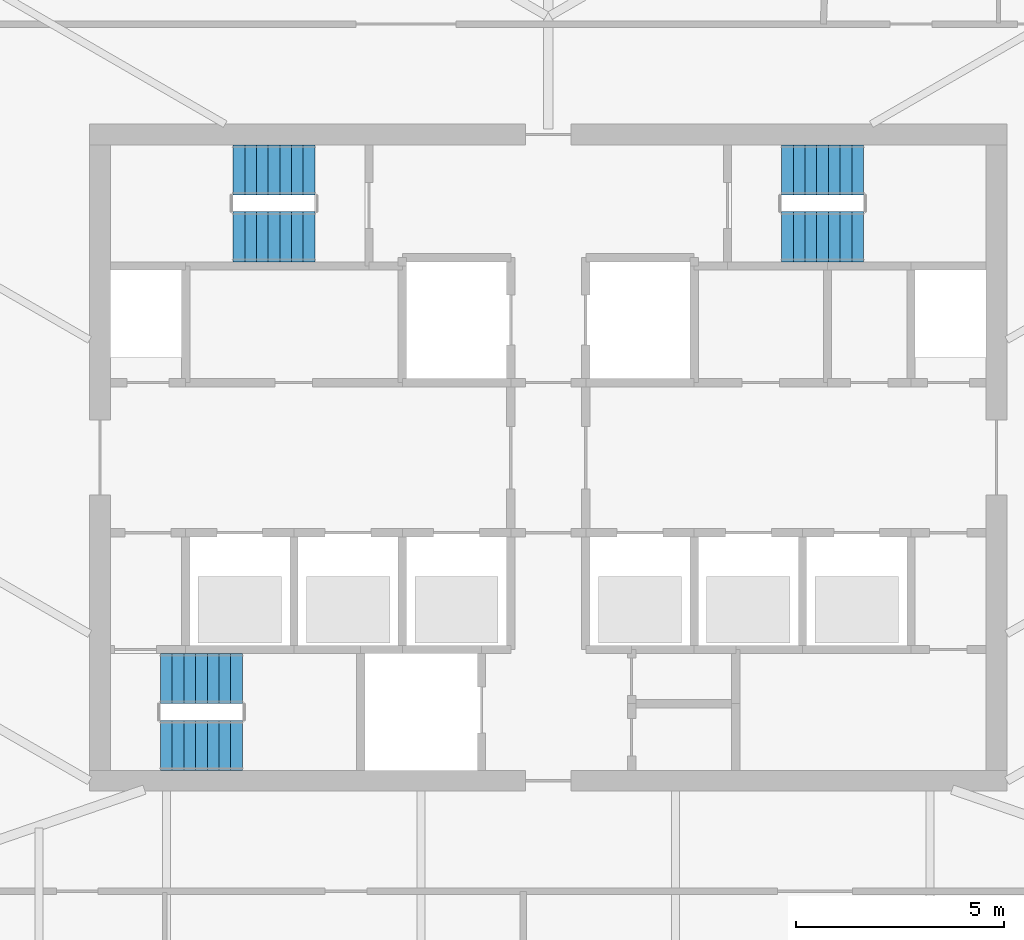
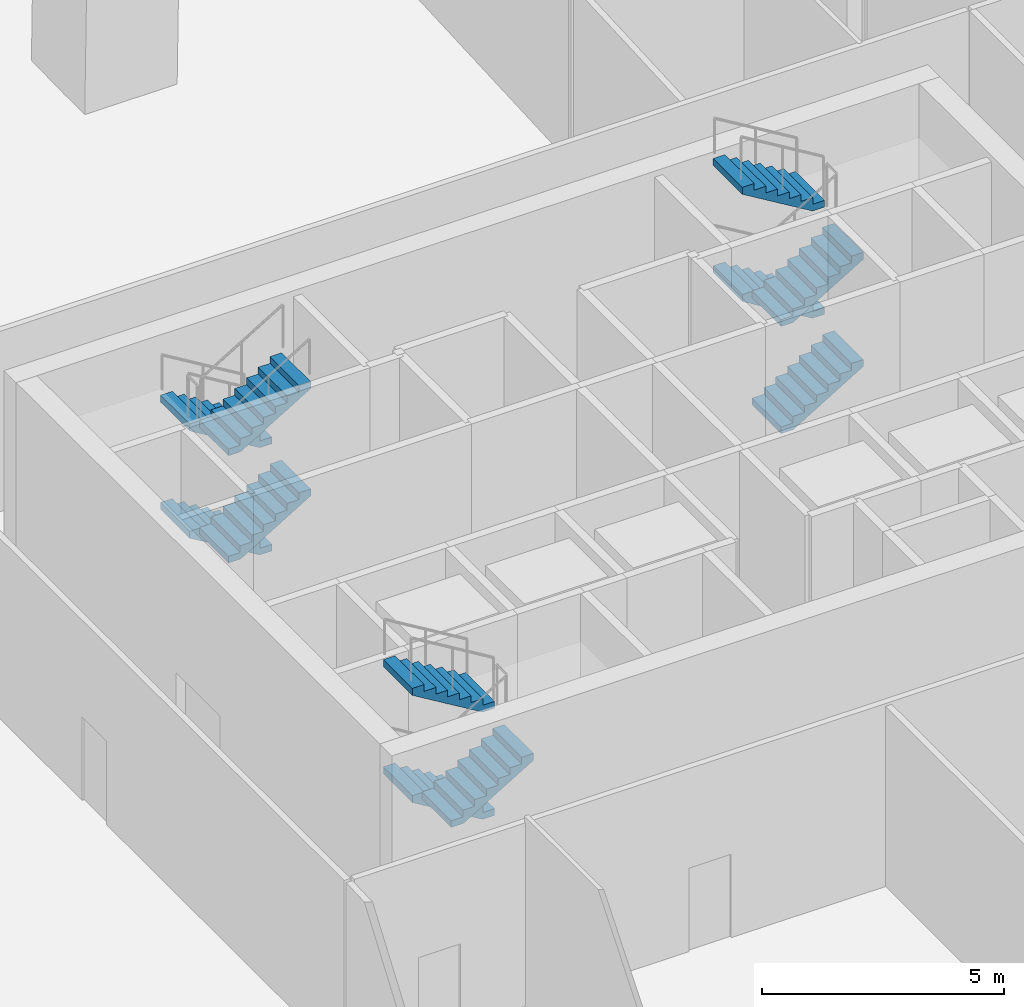
# One storey, part 11 of 19: 11 stair flights, 3 elements without a shape of their own.
"""IFC4 building model written with IfcOpenShell, lengths in metres."""

import ifcopenshell
import ifcopenshell.guid

model = None  # the IFC model being written
_history = None  # IfcOwnerHistory: only IFC2X3 demands one
_inside = {}  # id of a spatial element -> (the spatial element, [elements in it])
_under = {}  # id of a project, library or spatial element -> (it, [spatial elements below it])
_declared = {}  # id of a project -> (the project, [libraries it declares])
_typed = {}  # id of a type object -> (the type object, [elements of that type])
_made_of = {}  # id of a material, layer set ... -> (it, [elements and type objects made of it])


def new_model(schema):
    """Start an empty IFC model of exactly this schema.

    Asked for "IFC4X3", IfcOpenShell would pick the latest addendum, in which some entities
    have other attributes; the version numbers below select the first issue.
    IFC2X3 requires an IfcOwnerHistory on every rooted entity: one is made here for all.
    """
    global model, _history
    if schema == "IFC4X3":
        model = ifcopenshell.file(schema_version=(4, 3, 0, 0))
    else:
        model = ifcopenshell.file(schema=schema)
    _inside.clear()
    _under.clear()
    _declared.clear()
    _typed.clear()
    _made_of.clear()
    _history = None
    if model.schema == "IFC2X3":
        org = make("IfcOrganization", Name="unknown")
        user = make(
            "IfcPersonAndOrganization",
            ThePerson=make("IfcPerson", FamilyName="unknown"),
            TheOrganization=org,
        )
        app = make(
            "IfcApplication",
            ApplicationDeveloper=org,
            Version="unknown",
            ApplicationFullName="unknown",
            ApplicationIdentifier="unknown",
        )
        _history = make(
            "IfcOwnerHistory",
            OwningUser=user,
            OwningApplication=app,
            ChangeAction="ADDED",
            CreationDate=0,
        )
    return model


def make(cls, **values):
    """One entity of the class cls with the attributes given. An attribute that is None is left unset."""
    return model.create_entity(
        cls, **{name: value for name, value in values.items() if value is not None}
    )


def rooted(cls, **values):
    """An entity with a GlobalId (a new one), such as an element, a storey or a relation."""
    return make(cls, GlobalId=ifcopenshell.guid.new(), OwnerHistory=_history, **values)


def si_unit(unit_type, name, prefix=None):
    """IfcSIUnit, for example si_unit("LENGTHUNIT", "METRE", prefix="MILLI")."""
    return make("IfcSIUnit", UnitType=unit_type, Prefix=prefix, Name=name)


def assignment(units):
    """IfcUnitAssignment: the units of a project."""
    return None if units is None else make("IfcUnitAssignment", Units=units)


def point(xyz):
    """IfcCartesianPoint."""
    return None if xyz is None else make("IfcCartesianPoint", Coordinates=xyz)


def direction(xyz):
    """IfcDirection."""
    return None if xyz is None else make("IfcDirection", DirectionRatios=xyz)


def frame(location, z_axis=None, x_axis=None):
    """IfcAxis2Placement3D, a coordinate frame: its origin and axes. An axis left out is left unset."""
    return make(
        "IfcAxis2Placement3D",
        Location=point(location),
        Axis=direction(z_axis),
        RefDirection=direction(x_axis),
    )


def origin():
    """The frame at (0, 0, 0) with its axes left unset."""
    return frame((0.0, 0.0, 0.0))


def place(relative_to, where):
    """IfcLocalPlacement: puts the frame where relative to a parent placement (None: the world)."""
    return make(
        "IfcLocalPlacement", PlacementRelTo=relative_to, RelativePlacement=where
    )


def context(
    kind, dimensions, precision=None, world=None, true_north=None, identifier=None
):
    """IfcGeometricRepresentationContext, for example the 3D "Model" context."""
    return make(
        "IfcGeometricRepresentationContext",
        ContextIdentifier=identifier,
        ContextType=kind,
        CoordinateSpaceDimension=dimensions,
        Precision=precision,
        WorldCoordinateSystem=world,
        TrueNorth=true_north,
    )


def subcontext(parent, identifier, kind, view, scale=None):
    """IfcGeometricRepresentationSubContext, for example "Body" below "Model"."""
    return make(
        "IfcGeometricRepresentationSubContext",
        ContextIdentifier=identifier,
        ContextType=kind,
        ParentContext=parent,
        TargetScale=scale,
        TargetView=view,
    )


def project(units=None, contexts=None):
    """IfcProject with its units and contexts."""
    return rooted(
        "IfcProject",
        Name="project",
        RepresentationContexts=contexts,
        UnitsInContext=assignment(units),
    )


def spatial(cls, under=None, at=None, **own):
    """A site, building, storey or space (cls), placed at a placement, below another one or the project."""
    s = rooted(cls, ObjectPlacement=at, **own)
    if under is not None:
        _under.setdefault(under.id(), (under, []))[1].append(s)
    return s


def polyline(points):
    """IfcPolyline through the points."""
    return make("IfcPolyline", Points=[point(p) for p in points])


def outline(outer, holes=None, kind="AREA"):
    """IfcArbitraryClosedProfileDef: a profile drawn as a closed curve; with holes, ...WithVoids."""
    if holes is None:
        return make("IfcArbitraryClosedProfileDef", ProfileType=kind, OuterCurve=outer)
    return make(
        "IfcArbitraryProfileDefWithVoids",
        ProfileType=kind,
        OuterCurve=outer,
        InnerCurves=holes,
    )


def extrude(swept, where, along, depth):
    """IfcExtrudedAreaSolid: the profile swept, set in the frame where, extruded along a direction by depth."""
    return make(
        "IfcExtrudedAreaSolid",
        SweptArea=swept,
        Position=where,
        ExtrudedDirection=direction(along),
        Depth=depth,
    )


def shape(context_of_items, identifier, shape_type, items):
    """IfcShapeRepresentation: the items that make up one representation, for example the "Body"."""
    return make(
        "IfcShapeRepresentation",
        ContextOfItems=context_of_items,
        RepresentationIdentifier=identifier,
        RepresentationType=shape_type,
        Items=items,
    )


def material(Name=None, Category=None):
    """IfcMaterial."""
    return make("IfcMaterial", Name=Name, Category=Category)


def made_of(thing, what):
    """Note that an element or type object is made of a material, layer set ...; save() writes the relation."""
    if what is not None:
        _made_of.setdefault(what.id(), (what, []))[1].append(thing)
    return thing


def type_object(cls, material=None, **own):
    """A type object (cls), such as IfcWallType, which elements share."""
    return made_of(rooted(cls, **own), material)


def element(
    cls,
    number,
    at=None,
    inside=None,
    cuts=None,
    type_object=None,
    material=None,
    context=None,
    identifier="Body",
    shape_type=None,
    held_by="IfcProductDefinitionShape",
    body=None,
    shapes=None,
    **own,
):
    """One element of the class cls, such as IfcWall. Its Tag is "e" and its number.

    at: its placement. inside: the storey or other place that contains it. cuts: it is an
    opening in that element (IfcRelVoidsElement). A single representation is given by context,
    identifier, shape_type and body (its items); several are given by shapes. held_by: the class
    of the entity that holds the representations. save() writes the other relations.
    """
    e = rooted(cls, Tag="e%d" % number, ObjectPlacement=at, **own)
    if body is not None:
        shapes = [shape(context, identifier, shape_type, body)]
    if shapes is not None:
        e.Representation = make(held_by, Representations=shapes)
    if inside is not None:
        _inside.setdefault(inside.id(), (inside, []))[1].append(e)
    if cuts is not None:
        rooted(
            "IfcRelVoidsElement", RelatingBuildingElement=cuts, RelatedOpeningElement=e
        )
    if type_object is not None:
        _typed.setdefault(type_object.id(), (type_object, []))[1].append(e)
    return made_of(e, material)


def aggregate(whole, parts):
    """IfcRelAggregates: a whole, such as a stair, and the parts it consists of."""
    return rooted("IfcRelAggregates", RelatingObject=whole, RelatedObjects=parts)


def save(model, path):
    """Write the relations noted so far, then the file.

    IfcRelAggregates (storeys below a building ...), IfcRelContainedInSpatialStructure (elements
    in a storey), IfcRelDefinesByType, IfcRelAssociatesMaterial and IfcRelDeclares: one each for
    every whole, place, type object, material and project.
    """
    for whole, parts in _under.values():
        aggregate(whole, parts)
    for where, things in _inside.values():
        rooted(
            "IfcRelContainedInSpatialStructure",
            RelatedElements=things,
            RelatingStructure=where,
        )
    for kind, things in _typed.values():
        rooted("IfcRelDefinesByType", RelatedObjects=things, RelatingType=kind)
    for what, things in _made_of.values():
        rooted("IfcRelAssociatesMaterial", RelatedObjects=things, RelatingMaterial=what)
    for by, libraries in _declared.values():
        rooted("IfcRelDeclares", RelatingContext=by, RelatedDefinitions=libraries)
    model.write(path)


model = new_model("IFC4")

# Units and contexts
model_context = context("Model", 3, precision=1e-05, world=origin(), true_north=direction((0.0, 1.0)))
body_context = subcontext(model_context, "Body", "Model", "MODEL_VIEW")
ifc_project = project(units=[si_unit("LENGTHUNIT", "METRE"), si_unit("AREAUNIT", "SQUARE_METRE"), si_unit("VOLUMEUNIT", "CUBIC_METRE"), si_unit("PLANEANGLEUNIT", "RADIAN"), si_unit("MASSUNIT", "GRAM", prefix="KILO")], contexts=[model_context])

# Site, building, storey
site_placement = place(None, origin())
site = spatial("IfcSite", under=ifc_project, at=site_placement, CompositionType="ELEMENT")
building_placement = place(site_placement, origin())
building = spatial("IfcBuilding", under=site, at=building_placement, Name="Sierra Prisma Convention Tower", CompositionType="ELEMENT")
storey_placement = place(building_placement, frame((0.0, 0.0, 319.0)))
storey = spatial("IfcBuildingStorey", under=building, at=storey_placement, Name="L73", CompositionType="ELEMENT", Elevation=319.0)

# Stair, stair flights
ifc_material_1 = material(Name="Concrete C30/37", Category="concrete")
stair_type = type_object("IfcStairType", Name="Stair dog-leg 1200 RC", PredefinedType="HALF_TURN_STAIR", material=ifc_material_1)
stair_1_placement = place(storey_placement, origin())
stair_1 = element("IfcStair", 1, at=stair_1_placement, inside=storey, type_object=stair_type, Name="L73 S1", PredefinedType="HALF_TURN_STAIR")
ifc_material_2 = material(Name="Concrete C30/37", Category="concrete")
stair_flight_type = type_object("IfcStairFlightType", Name="Stair flight RC 1200", PredefinedType="STRAIGHT", material=ifc_material_2)
stair_flight_1_placement = place(storey_placement, frame((-7.340087890625, -5.300048828125, 1.35009765625), z_axis=(0.0, 0.0, 1.0), x_axis=(-1.0, 0.0, 0.0)))
stair_flight_1 = element("IfcStairFlight", 2, at=stair_flight_1_placement, type_object=stair_flight_type, Name="S1 flight 2", NumberOfRisers=8, NumberOfTreads=7, PredefinedType="STRAIGHT", RiserHeight=0.16875, TreadLength=0.28, context=body_context, shape_type="SweptSolid", body=[
    extrude(outline(polyline([(0.0, 0.0), (0.0, 0.168701171875), (0.280029296875, 0.168701171875), (0.280029296875, 0.33740234375), (0.56005859375, 0.33740234375), (0.56005859375, 0.50634765625), (0.840087890625, 0.50634765625), (0.840087890625, 0.675048828125), (1.1201171875, 0.675048828125), (1.1201171875, 0.84375), (1.39990234375, 0.84375), (1.39990234375, 1.012451171875), (1.679931640625, 1.012451171875), (1.679931640625, 1.18115234375), (1.9599609375, 1.18115234375), (1.9599609375, 1.35009765625), (1.9599609375, 1.00634765625), (0.29052734375, 0.0), (0.0, 0.0)])), frame((0.0, 0.60009765625, 0.0), z_axis=(0.0, -1.0, 0.0), x_axis=(1.0, 0.0, 0.0)), (0.0, 0.0, 1.0), 1.199951171875),
])
stair_flight_2_placement = place(storey_placement, frame((-9.300048828125, -6.89990234375, 2.699951171875), z_axis=(0.0, 0.0, 1.0), x_axis=(1.0, 0.0, 0.0)))
stair_flight_2 = element("IfcStairFlight", 3, at=stair_flight_2_placement, type_object=stair_flight_type, Name="S1 flight 3", NumberOfRisers=8, NumberOfTreads=7, PredefinedType="STRAIGHT", RiserHeight=0.16875, TreadLength=0.28, context=body_context, shape_type="SweptSolid", body=[
    extrude(outline(polyline([(0.0, 0.0), (0.0, 0.168701171875), (0.280029296875, 0.168701171875), (0.280029296875, 0.33740234375), (0.56005859375, 0.33740234375), (0.56005859375, 0.50634765625), (0.840087890625, 0.50634765625), (0.840087890625, 0.675048828125), (1.1201171875, 0.675048828125), (1.1201171875, 0.84375), (1.39990234375, 0.84375), (1.39990234375, 1.012451171875), (1.679931640625, 1.012451171875), (1.679931640625, 1.18115234375), (1.9599609375, 1.18115234375), (1.9599609375, 1.35009765625), (1.9599609375, 1.00634765625), (0.29052734375, 0.0), (0.0, 0.0)])), frame((0.0, 0.60009765625, 0.0), z_axis=(0.0, -1.0, 0.0), x_axis=(1.0, 0.0, 0.0)), (0.0, 0.0, 1.0), 1.199951171875),
])
stair_flight_3_placement = place(storey_placement, frame((-7.340087890625, -5.300048828125, 4.050048828125), z_axis=(0.0, 0.0, 1.0), x_axis=(-1.0, 0.0, 0.0)))
stair_flight_3 = element("IfcStairFlight", 4, at=stair_flight_3_placement, type_object=stair_flight_type, Name="S1 flight 4", NumberOfRisers=8, NumberOfTreads=7, PredefinedType="STRAIGHT", RiserHeight=0.16875, TreadLength=0.28, context=body_context, shape_type="SweptSolid", body=[
    extrude(outline(polyline([(0.0, 0.0), (0.0, 0.168701171875), (0.280029296875, 0.168701171875), (0.280029296875, 0.33740234375), (0.56005859375, 0.33740234375), (0.56005859375, 0.50634765625), (0.840087890625, 0.50634765625), (0.840087890625, 0.675048828125), (1.1201171875, 0.675048828125), (1.1201171875, 0.84375), (1.39990234375, 0.84375), (1.39990234375, 1.012451171875), (1.679931640625, 1.012451171875), (1.679931640625, 1.18115234375), (1.9599609375, 1.18115234375), (1.9599609375, 1.35009765625), (1.9599609375, 1.00634765625), (0.29052734375, 0.0), (0.0, 0.0)])), frame((0.0, 0.60009765625, 0.0), z_axis=(0.0, -1.0, 0.0), x_axis=(1.0, 0.0, 0.0)), (0.0, 0.0, 1.0), 1.199951171875),
])
aggregate(stair_1, [stair_flight_1, stair_flight_2, stair_flight_3])

stair_2_placement = place(storey_placement, origin())
stair_2 = element("IfcStair", 5, at=stair_2_placement, inside=storey, type_object=stair_type, Name="L73 S3", PredefinedType="HALF_TURN_STAIR")
stair_flight_4_placement = place(storey_placement, frame((-5.60009765625, 6.89990234375, 0.0), z_axis=(0.0, 0.0, 1.0), x_axis=(-1.0, 0.0, 0.0)))
stair_flight_4 = element("IfcStairFlight", 6, at=stair_flight_4_placement, type_object=stair_flight_type, Name="S3 flight 1", NumberOfRisers=8, NumberOfTreads=7, PredefinedType="STRAIGHT", RiserHeight=0.16875, TreadLength=0.28, context=body_context, shape_type="SweptSolid", body=[
    extrude(outline(polyline([(0.0, 0.0), (0.0, 0.168701171875), (0.280029296875, 0.168701171875), (0.280029296875, 0.33740234375), (0.56005859375, 0.33740234375), (0.56005859375, 0.50634765625), (0.840087890625, 0.50634765625), (0.840087890625, 0.675048828125), (1.1201171875, 0.675048828125), (1.1201171875, 0.84375), (1.39990234375, 0.84375), (1.39990234375, 1.012451171875), (1.679931640625, 1.012451171875), (1.679931640625, 1.18115234375), (1.9599609375, 1.18115234375), (1.9599609375, 1.35009765625), (1.9599609375, 1.00634765625), (0.29052734375, 0.0), (0.0, 0.0)])), frame((0.0, 0.60009765625, 0.0), z_axis=(0.0, -1.0, 0.0), x_axis=(1.0, 0.0, 0.0)), (0.0, 0.0, 1.0), 1.199951171875),
])
stair_flight_5_placement = place(storey_placement, frame((-7.56005859375, 5.300048828125, 1.35009765625), z_axis=(0.0, 0.0, 1.0), x_axis=(1.0, 0.0, 0.0)))
stair_flight_5 = element("IfcStairFlight", 7, at=stair_flight_5_placement, type_object=stair_flight_type, Name="S3 flight 2", NumberOfRisers=8, NumberOfTreads=7, PredefinedType="STRAIGHT", RiserHeight=0.16875, TreadLength=0.28, context=body_context, shape_type="SweptSolid", body=[
    extrude(outline(polyline([(0.0, 0.0), (0.0, 0.168701171875), (0.280029296875, 0.168701171875), (0.280029296875, 0.33740234375), (0.56005859375, 0.33740234375), (0.56005859375, 0.50634765625), (0.840087890625, 0.50634765625), (0.840087890625, 0.675048828125), (1.1201171875, 0.675048828125), (1.1201171875, 0.84375), (1.39990234375, 0.84375), (1.39990234375, 1.012451171875), (1.679931640625, 1.012451171875), (1.679931640625, 1.18115234375), (1.9599609375, 1.18115234375), (1.9599609375, 1.35009765625), (1.9599609375, 1.00634765625), (0.29052734375, 0.0), (0.0, 0.0)])), frame((0.0, 0.60009765625, 0.0), z_axis=(0.0, -1.0, 0.0), x_axis=(1.0, 0.0, 0.0)), (0.0, 0.0, 1.0), 1.199951171875),
])
stair_flight_6_placement = place(storey_placement, frame((-5.60009765625, 6.89990234375, 2.699951171875), z_axis=(0.0, 0.0, 1.0), x_axis=(-1.0, 0.0, 0.0)))
stair_flight_6 = element("IfcStairFlight", 8, at=stair_flight_6_placement, type_object=stair_flight_type, Name="S3 flight 3", NumberOfRisers=8, NumberOfTreads=7, PredefinedType="STRAIGHT", RiserHeight=0.16875, TreadLength=0.28, context=body_context, shape_type="SweptSolid", body=[
    extrude(outline(polyline([(0.0, 0.0), (0.0, 0.168701171875), (0.280029296875, 0.168701171875), (0.280029296875, 0.33740234375), (0.56005859375, 0.33740234375), (0.56005859375, 0.50634765625), (0.840087890625, 0.50634765625), (0.840087890625, 0.675048828125), (1.1201171875, 0.675048828125), (1.1201171875, 0.84375), (1.39990234375, 0.84375), (1.39990234375, 1.012451171875), (1.679931640625, 1.012451171875), (1.679931640625, 1.18115234375), (1.9599609375, 1.18115234375), (1.9599609375, 1.35009765625), (1.9599609375, 1.00634765625), (0.29052734375, 0.0), (0.0, 0.0)])), frame((0.0, 0.60009765625, 0.0), z_axis=(0.0, -1.0, 0.0), x_axis=(1.0, 0.0, 0.0)), (0.0, 0.0, 1.0), 1.199951171875),
])
stair_flight_7_placement = place(storey_placement, frame((-7.56005859375, 5.300048828125, 4.050048828125), z_axis=(0.0, 0.0, 1.0), x_axis=(1.0, 0.0, 0.0)))
stair_flight_7 = element("IfcStairFlight", 9, at=stair_flight_7_placement, type_object=stair_flight_type, Name="S3 flight 4", NumberOfRisers=8, NumberOfTreads=7, PredefinedType="STRAIGHT", RiserHeight=0.16875, TreadLength=0.28, context=body_context, shape_type="SweptSolid", body=[
    extrude(outline(polyline([(0.0, 0.0), (0.0, 0.168701171875), (0.280029296875, 0.168701171875), (0.280029296875, 0.33740234375), (0.56005859375, 0.33740234375), (0.56005859375, 0.50634765625), (0.840087890625, 0.50634765625), (0.840087890625, 0.675048828125), (1.1201171875, 0.675048828125), (1.1201171875, 0.84375), (1.39990234375, 0.84375), (1.39990234375, 1.012451171875), (1.679931640625, 1.012451171875), (1.679931640625, 1.18115234375), (1.9599609375, 1.18115234375), (1.9599609375, 1.35009765625), (1.9599609375, 1.00634765625), (0.29052734375, 0.0), (0.0, 0.0)])), frame((0.0, 0.60009765625, 0.0), z_axis=(0.0, -1.0, 0.0), x_axis=(1.0, 0.0, 0.0)), (0.0, 0.0, 1.0), 1.199951171875),
])
aggregate(stair_2, [stair_flight_4, stair_flight_5, stair_flight_6, stair_flight_7])

stair_3_placement = place(storey_placement, origin())
stair_3 = element("IfcStair", 10, at=stair_3_placement, inside=storey, type_object=stair_type, Name="L73 S4", PredefinedType="HALF_TURN_STAIR")
stair_flight_8_placement = place(storey_placement, frame((5.60009765625, 5.300048828125, 0.0), z_axis=(0.0, 0.0, 1.0), x_axis=(1.0, 0.0, 0.0)))
stair_flight_8 = element("IfcStairFlight", 11, at=stair_flight_8_placement, type_object=stair_flight_type, Name="S4 flight 1", NumberOfRisers=8, NumberOfTreads=7, PredefinedType="STRAIGHT", RiserHeight=0.16875, TreadLength=0.28, context=body_context, shape_type="SweptSolid", body=[
    extrude(outline(polyline([(0.0, 0.0), (0.0, 0.168701171875), (0.280029296875, 0.168701171875), (0.280029296875, 0.33740234375), (0.56005859375, 0.33740234375), (0.56005859375, 0.50634765625), (0.840087890625, 0.50634765625), (0.840087890625, 0.675048828125), (1.1201171875, 0.675048828125), (1.1201171875, 0.84375), (1.39990234375, 0.84375), (1.39990234375, 1.012451171875), (1.679931640625, 1.012451171875), (1.679931640625, 1.18115234375), (1.9599609375, 1.18115234375), (1.9599609375, 1.35009765625), (1.9599609375, 1.00634765625), (0.29052734375, 0.0), (0.0, 0.0)])), frame((0.0, 0.60009765625, 0.0), z_axis=(0.0, -1.0, 0.0), x_axis=(1.0, 0.0, 0.0)), (0.0, 0.0, 1.0), 1.199951171875),
])
stair_flight_9_placement = place(storey_placement, frame((7.56005859375, 6.89990234375, 1.35009765625), z_axis=(0.0, 0.0, 1.0), x_axis=(-1.0, 0.0, 0.0)))
stair_flight_9 = element("IfcStairFlight", 12, at=stair_flight_9_placement, type_object=stair_flight_type, Name="S4 flight 2", NumberOfRisers=8, NumberOfTreads=7, PredefinedType="STRAIGHT", RiserHeight=0.16875, TreadLength=0.28, context=body_context, shape_type="SweptSolid", body=[
    extrude(outline(polyline([(0.0, 0.0), (0.0, 0.168701171875), (0.280029296875, 0.168701171875), (0.280029296875, 0.33740234375), (0.56005859375, 0.33740234375), (0.56005859375, 0.50634765625), (0.840087890625, 0.50634765625), (0.840087890625, 0.675048828125), (1.1201171875, 0.675048828125), (1.1201171875, 0.84375), (1.39990234375, 0.84375), (1.39990234375, 1.012451171875), (1.679931640625, 1.012451171875), (1.679931640625, 1.18115234375), (1.9599609375, 1.18115234375), (1.9599609375, 1.35009765625), (1.9599609375, 1.00634765625), (0.29052734375, 0.0), (0.0, 0.0)])), frame((0.0, 0.60009765625, 0.0), z_axis=(0.0, -1.0, 0.0), x_axis=(1.0, 0.0, 0.0)), (0.0, 0.0, 1.0), 1.199951171875),
])
stair_flight_10_placement = place(storey_placement, frame((5.60009765625, 5.300048828125, 2.699951171875), z_axis=(0.0, 0.0, 1.0), x_axis=(1.0, 0.0, 0.0)))
stair_flight_10 = element("IfcStairFlight", 13, at=stair_flight_10_placement, type_object=stair_flight_type, Name="S4 flight 3", NumberOfRisers=8, NumberOfTreads=7, PredefinedType="STRAIGHT", RiserHeight=0.16875, TreadLength=0.28, context=body_context, shape_type="SweptSolid", body=[
    extrude(outline(polyline([(0.0, 0.0), (0.0, 0.168701171875), (0.280029296875, 0.168701171875), (0.280029296875, 0.33740234375), (0.56005859375, 0.33740234375), (0.56005859375, 0.50634765625), (0.840087890625, 0.50634765625), (0.840087890625, 0.675048828125), (1.1201171875, 0.675048828125), (1.1201171875, 0.84375), (1.39990234375, 0.84375), (1.39990234375, 1.012451171875), (1.679931640625, 1.012451171875), (1.679931640625, 1.18115234375), (1.9599609375, 1.18115234375), (1.9599609375, 1.35009765625), (1.9599609375, 1.00634765625), (0.29052734375, 0.0), (0.0, 0.0)])), frame((0.0, 0.60009765625, 0.0), z_axis=(0.0, -1.0, 0.0), x_axis=(1.0, 0.0, 0.0)), (0.0, 0.0, 1.0), 1.199951171875),
])
stair_flight_11_placement = place(storey_placement, frame((7.56005859375, 6.89990234375, 4.050048828125), z_axis=(0.0, 0.0, 1.0), x_axis=(-1.0, 0.0, 0.0)))
stair_flight_11 = element("IfcStairFlight", 14, at=stair_flight_11_placement, type_object=stair_flight_type, Name="S4 flight 4", NumberOfRisers=8, NumberOfTreads=7, PredefinedType="STRAIGHT", RiserHeight=0.16875, TreadLength=0.28, context=body_context, shape_type="SweptSolid", body=[
    extrude(outline(polyline([(0.0, 0.0), (0.0, 0.168701171875), (0.280029296875, 0.168701171875), (0.280029296875, 0.33740234375), (0.56005859375, 0.33740234375), (0.56005859375, 0.50634765625), (0.840087890625, 0.50634765625), (0.840087890625, 0.675048828125), (1.1201171875, 0.675048828125), (1.1201171875, 0.84375), (1.39990234375, 0.84375), (1.39990234375, 1.012451171875), (1.679931640625, 1.012451171875), (1.679931640625, 1.18115234375), (1.9599609375, 1.18115234375), (1.9599609375, 1.35009765625), (1.9599609375, 1.00634765625), (0.29052734375, 0.0), (0.0, 0.0)])), frame((0.0, 0.60009765625, 0.0), z_axis=(0.0, -1.0, 0.0), x_axis=(1.0, 0.0, 0.0)), (0.0, 0.0, 1.0), 1.199951171875),
])
aggregate(stair_3, [stair_flight_8, stair_flight_9, stair_flight_10, stair_flight_11])

save(model, "model.ifc")
